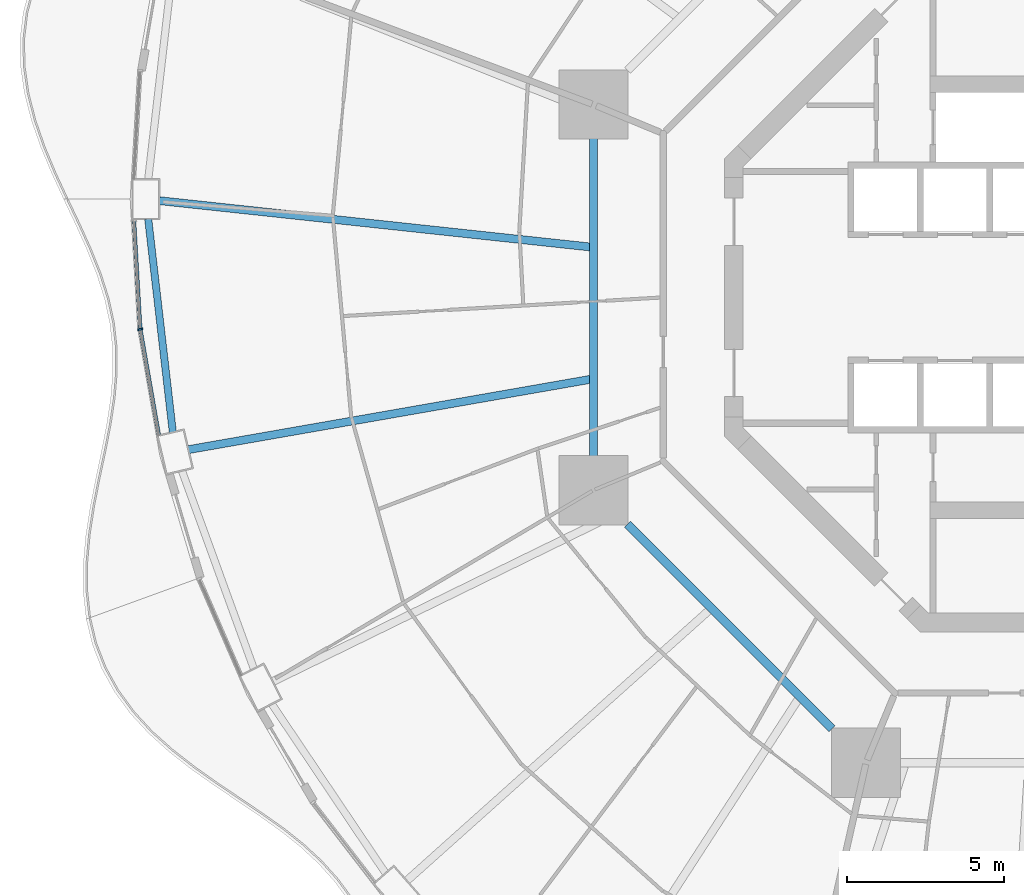
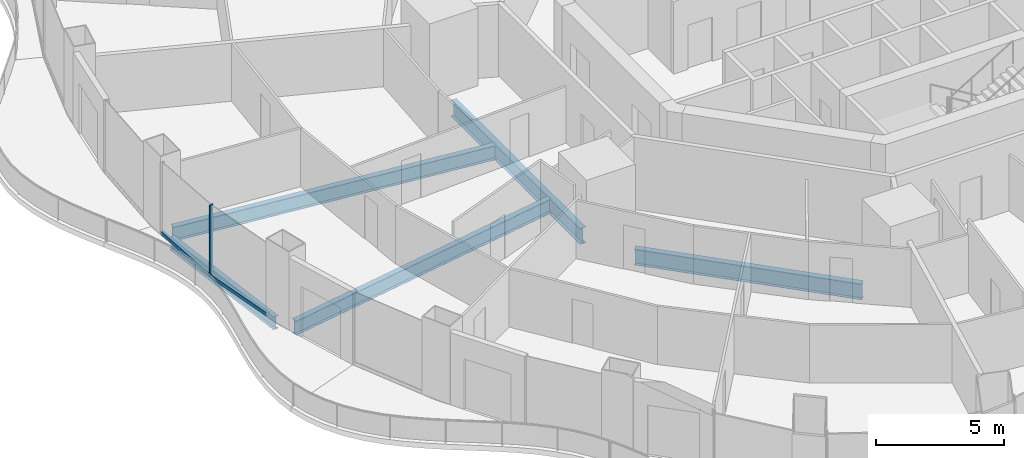
# One storey, part 4 of 22: 5 beams, 3 members, 2 elements without a shape of their own.
"""IFC4 building model written with IfcOpenShell, lengths in metres."""

from ifc_helpers import new_model, si_unit, direction, frame, origin, origin_2d, place, context, subcontext, project, spatial, rectangle, i_section, extrude, material, layer, layer_set, material_profile, profile_set, type_object, element, aggregate, save


model = new_model("IFC4")

# Units and contexts
model_context = context("Model", 3, precision=1e-05, world=origin(), true_north=direction((0.0, 1.0)))
body_context = subcontext(model_context, "Body", "Model", "MODEL_VIEW")
ifc_project = project(units=[si_unit("LENGTHUNIT", "METRE"), si_unit("AREAUNIT", "SQUARE_METRE"), si_unit("VOLUMEUNIT", "CUBIC_METRE"), si_unit("PLANEANGLEUNIT", "RADIAN"), si_unit("MASSUNIT", "GRAM", prefix="KILO")], contexts=[model_context])

# Site, building, storey
site_placement = place(None, origin())
site = spatial("IfcSite", under=ifc_project, at=site_placement, CompositionType="ELEMENT")
building_placement = place(site_placement, origin())
building = spatial("IfcBuilding", under=site, at=building_placement, Name="Nagisa Residences", CompositionType="ELEMENT")
storey_placement = place(building_placement, frame((0.0, 0.0, 106.60009765625)))
storey = spatial("IfcBuildingStorey", under=building, at=storey_placement, Name="L26", CompositionType="ELEMENT", Elevation=106.60009765625)

# Curtain wall, member
ifc_material_1 = material(Name="Concrete-coloured aluminium curtain wall system", Category="concrete")
ifc_layer = layer(ifc_material_1, 0.159912109375)
ifc_layer_set = layer_set([ifc_layer], Name="CW1 CURTAIN WALL")
curtain_wall_type = type_object("IfcCurtainWallType", Name="CW1 CURTAIN WALL", PredefinedType="NOTDEFINED", material=ifc_layer_set)
curtain_wall_1_placement = place(storey_placement, origin())
curtain_wall_1 = element("IfcCurtainWall", 1, at=curtain_wall_1_placement, inside=storey, type_object=curtain_wall_type, Name="cw:CW1:L26:25", PredefinedType="NOTDEFINED")
ifc_material_2 = material(Name="Concrete-coloured aluminium", Category="concrete")
ifc_material_profile_1 = material_profile(ifc_material_2, rectangle(XDim=0.159912109375, YDim=0.06005859375, at=origin_2d()), Name="CW1 MULLION 160x60")
ifc_profile_set_1 = profile_set([ifc_material_profile_1], Name="Concrete-coloured aluminium")
member_type_1 = type_object("IfcMemberType", Name="CW1 MULLION 160x60", PredefinedType="MULLION", material=ifc_profile_set_1)
member_1_placement = place(storey_placement, frame((-29.174072265625, -1.01171875, 0.0), z_axis=(0.0, 0.0, 1.0), x_axis=(0.985063604377, 0.172190868898, 0.0)))
member_1 = element("IfcMember", 2, at=member_1_placement, type_object=member_type_1, Name="CW1 mullion", PredefinedType="MULLION", context=body_context, shape_type="SweptSolid", body=[
    extrude(rectangle(XDim=0.159912109375, YDim=0.06005859375, at=origin_2d()), origin(), (0.0, 0.0, 1.0), 3.43994140625),
])

curtain_wall_2_placement = place(storey_placement, origin())
curtain_wall_2 = element("IfcCurtainWall", 3, at=curtain_wall_2_placement, inside=storey, type_object=curtain_wall_type, Name="cw:CW1:L26:24", PredefinedType="NOTDEFINED")
ifc_material_3 = material(Name="Concrete-coloured aluminium", Category="concrete")
ifc_material_profile_2 = material_profile(ifc_material_3, rectangle(XDim=0.1201171875, YDim=0.14990234375, at=origin_2d()), Name="CW1 TRANSOM 120x150")
ifc_profile_set_2 = profile_set([ifc_material_profile_2], Name="Concrete-coloured aluminium")
member_type_2 = type_object("IfcMemberType", Name="CW1 TRANSOM 120x150", PredefinedType="USERDEFINED", material=ifc_profile_set_2)
member_2_placement = place(storey_placement, frame((-29.377685546875, 2.473388671875, 0.074951171875), z_axis=(0.057476526179, -0.99834685803, 0.0), x_axis=(0.99834685803, 0.057476526179, 0.0)))
member_2 = element("IfcMember", 4, at=member_2_placement, type_object=member_type_2, Name="CW1 transom", ObjectType="TRANSOM", PredefinedType="USERDEFINED", context=body_context, shape_type="SweptSolid", body=[
    extrude(rectangle(XDim=0.1201171875, YDim=0.14990234375, at=origin_2d()), origin(), (0.0, 0.0, 1.0), 3.47021484375),
])
aggregate(curtain_wall_2, [member_2])

# Member
member_3_placement = place(storey_placement, frame((-29.17919921875, -0.982177734375, 0.074951171875), z_axis=(0.172164316671, -0.985068245385, 0.0), x_axis=(0.985068245385, 0.172164316671, 0.0)))
member_3 = element("IfcMember", 5, at=member_3_placement, type_object=member_type_2, Name="CW1 transom", ObjectType="TRANSOM", PredefinedType="USERDEFINED", context=body_context, shape_type="SweptSolid", body=[
    extrude(rectangle(XDim=0.1201171875, YDim=0.14990234375, at=origin_2d()), origin(), (0.0, 0.0, 1.0), 3.454345703125),
])

aggregate(curtain_wall_1, [member_1, member_3])

# Beams
ifc_material_4 = material(Name="Steel ASTM A572 Gr 50", Category="steel")
ifc_material_profile_3 = material_profile(ifc_material_4, i_section(OverallWidth=0.264892578125, OverallDepth=0.7529296875, WebThickness=0.01318359375, FlangeThickness=0.01708984375, at=origin_2d()), Name="W760x147")
ifc_profile_set_3 = profile_set([ifc_material_profile_3], Name="Steel ASTM A572 Gr 50")
beam_type_1 = type_object("IfcBeamType", Name="Inner ring beam W760x147", PredefinedType="BEAM", material=ifc_profile_set_3)
beam_1_placement = place(storey_placement, frame((-14.781982421875, 5.04296875, -0.63671875), z_axis=(0.0, -1.0, 0.0), x_axis=(1.0, 0.0, 0.0)))
element("IfcBeam", 6, at=beam_1_placement, inside=storey, type_object=beam_type_1, Name="beam:L26:ib4", PredefinedType="BEAM", context=body_context, shape_type="SweptSolid", body=[
    extrude(i_section(OverallWidth=0.264892578125, OverallDepth=0.7529296875, WebThickness=0.01318359375, FlangeThickness=0.01708984375, at=origin_2d()), origin(), (0.0, 0.0, 1.0), 10.0859375),
])
beam_2_placement = place(storey_placement, frame((-13.6962890625, -7.208740234375, -0.63671875), z_axis=(0.707106781187, -0.707106781187, 0.0), x_axis=(0.707106781187, 0.707106781187, 0.0)))
element("IfcBeam", 7, at=beam_2_placement, inside=storey, type_object=beam_type_1, Name="beam:L26:ib5", PredefinedType="BEAM", context=body_context, shape_type="SweptSolid", body=[
    extrude(i_section(OverallWidth=0.264892578125, OverallDepth=0.7529296875, WebThickness=0.01318359375, FlangeThickness=0.01708984375, at=origin_2d()), origin(), (0.0, 0.0, 1.0), 9.1748046875),
])
ifc_material_5 = material(Name="Steel ASTM A572 Gr 50", Category="steel")
ifc_material_profile_4 = material_profile(ifc_material_5, i_section(OverallWidth=0.22802734375, OverallDepth=0.60302734375, WebThickness=0.010498046875, FlangeThickness=0.014892578125, at=origin_2d()), Name="W610x101")
ifc_profile_set_4 = profile_set([ifc_material_profile_4], Name="Steel ASTM A572 Gr 50")
beam_type_2 = type_object("IfcBeamType", Name="Perimeter ring beam W610x101", PredefinedType="BEAM", material=ifc_profile_set_4)
beam_3_placement = place(storey_placement, frame((-28.92236328125, 2.487548828125, -0.5615234375), z_axis=(0.114690766503, -0.993401242237, 0.0), x_axis=(0.993401242237, 0.114690766503, 0.0)))
element("IfcBeam", 8, at=beam_3_placement, inside=storey, type_object=beam_type_2, Name="beam:L26:pb13", PredefinedType="BEAM", context=body_context, shape_type="SweptSolid", body=[
    extrude(i_section(OverallWidth=0.22802734375, OverallDepth=0.60302734375, WebThickness=0.010498046875, FlangeThickness=0.014892578125, at=origin_2d()), origin(), (0.0, 0.0, 1.0), 6.811767578125),
])
ifc_material_6 = material(Name="Steel ASTM A572 Gr 50", Category="steel")
ifc_material_profile_5 = material_profile(ifc_material_6, i_section(OverallWidth=0.2529296875, OverallDepth=0.677978515625, WebThickness=0.01171875, FlangeThickness=0.016357421875, at=origin_2d()), Name="W690x125")
ifc_profile_set_5 = profile_set([ifc_material_profile_5], Name="Steel ASTM A572 Gr 50")
beam_type_3 = type_object("IfcBeamType", Name="Radial beam W690x125", PredefinedType="BEAM", material=ifc_profile_set_5)
beam_4_placement = place(storey_placement, frame((-28.56494140625, 3.071533203125, -0.59912109375), z_axis=(0.99426817007, -0.10691494744, 0.0), x_axis=(0.10691494744, 0.99426817007, 0.0)))
element("IfcBeam", 9, at=beam_4_placement, inside=storey, type_object=beam_type_3, Name="beam:L26:rb13", PredefinedType="BEAM", context=body_context, shape_type="SweptSolid", body=[
    extrude(i_section(OverallWidth=0.2529296875, OverallDepth=0.677978515625, WebThickness=0.01171875, FlangeThickness=0.016357421875, at=origin_2d()), origin(), (0.0, 0.0, 1.0), 13.7490234375),
])
beam_5_placement = place(storey_placement, frame((-27.64404296875, -4.83544921875, -0.59912109375), z_axis=(0.985042235616, 0.172313069883, 0.0), x_axis=(-0.172313069883, 0.985042235616, 0.0)))
element("IfcBeam", 10, at=beam_5_placement, inside=storey, type_object=beam_type_3, Name="beam:L26:rb14", PredefinedType="BEAM", context=body_context, shape_type="SweptSolid", body=[
    extrude(i_section(OverallWidth=0.2529296875, OverallDepth=0.677978515625, WebThickness=0.01171875, FlangeThickness=0.016357421875, at=origin_2d()), origin(), (0.0, 0.0, 1.0), 12.94287109375),
])

save(model, "model.ifc")
